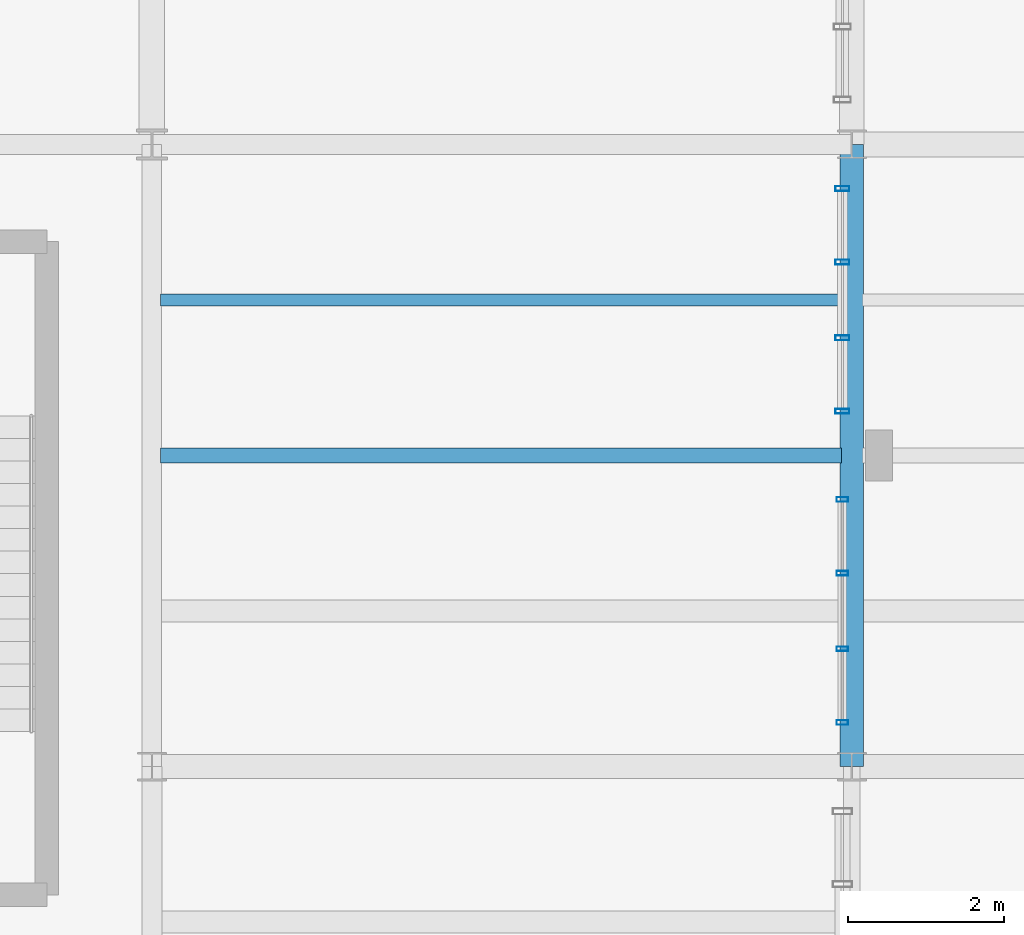
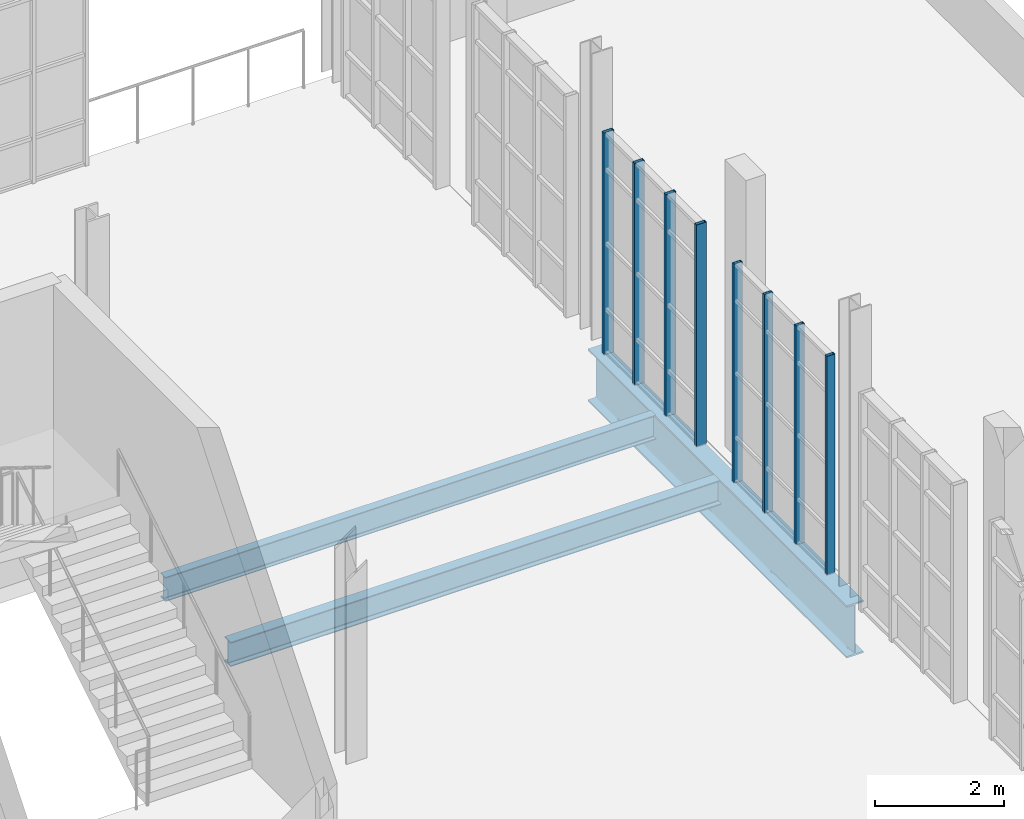
# One storey, part 80 of 142: 8 members, 3 beams, 2 elements without a shape of their own.
"""IFC4 building model written with IfcOpenShell, lengths in metres."""

import ifcopenshell
import ifcopenshell.guid

model = None  # the IFC model being written
_history = None  # IfcOwnerHistory: only IFC2X3 demands one
_inside = {}  # id of a spatial element -> (the spatial element, [elements in it])
_under = {}  # id of a project, library or spatial element -> (it, [spatial elements below it])
_declared = {}  # id of a project -> (the project, [libraries it declares])
_typed = {}  # id of a type object -> (the type object, [elements of that type])
_made_of = {}  # id of a material, layer set ... -> (it, [elements and type objects made of it])


def new_model(schema):
    """Start an empty IFC model of exactly this schema.

    Asked for "IFC4X3", IfcOpenShell would pick the latest addendum, in which some entities
    have other attributes; the version numbers below select the first issue.
    IFC2X3 requires an IfcOwnerHistory on every rooted entity: one is made here for all.
    """
    global model, _history
    if schema == "IFC4X3":
        model = ifcopenshell.file(schema_version=(4, 3, 0, 0))
    else:
        model = ifcopenshell.file(schema=schema)
    _inside.clear()
    _under.clear()
    _declared.clear()
    _typed.clear()
    _made_of.clear()
    _history = None
    if model.schema == "IFC2X3":
        org = make("IfcOrganization", Name="unknown")
        user = make(
            "IfcPersonAndOrganization",
            ThePerson=make("IfcPerson", FamilyName="unknown"),
            TheOrganization=org,
        )
        app = make(
            "IfcApplication",
            ApplicationDeveloper=org,
            Version="unknown",
            ApplicationFullName="unknown",
            ApplicationIdentifier="unknown",
        )
        _history = make(
            "IfcOwnerHistory",
            OwningUser=user,
            OwningApplication=app,
            ChangeAction="ADDED",
            CreationDate=0,
        )
    return model


def make(cls, **values):
    """One entity of the class cls with the attributes given. An attribute that is None is left unset."""
    return model.create_entity(
        cls, **{name: value for name, value in values.items() if value is not None}
    )


def rooted(cls, **values):
    """An entity with a GlobalId (a new one), such as an element, a storey or a relation."""
    return make(cls, GlobalId=ifcopenshell.guid.new(), OwnerHistory=_history, **values)


def si_unit(unit_type, name, prefix=None):
    """IfcSIUnit, for example si_unit("LENGTHUNIT", "METRE", prefix="MILLI")."""
    return make("IfcSIUnit", UnitType=unit_type, Prefix=prefix, Name=name)


def assignment(units):
    """IfcUnitAssignment: the units of a project."""
    return None if units is None else make("IfcUnitAssignment", Units=units)


def point(xyz):
    """IfcCartesianPoint."""
    return None if xyz is None else make("IfcCartesianPoint", Coordinates=xyz)


def direction(xyz):
    """IfcDirection."""
    return None if xyz is None else make("IfcDirection", DirectionRatios=xyz)


def frame(location, z_axis=None, x_axis=None):
    """IfcAxis2Placement3D, a coordinate frame: its origin and axes. An axis left out is left unset."""
    return make(
        "IfcAxis2Placement3D",
        Location=point(location),
        Axis=direction(z_axis),
        RefDirection=direction(x_axis),
    )


def frame_2d(location, x_axis=None):
    """IfcAxis2Placement2D, a coordinate frame in the plane: its origin and x axis."""
    return make(
        "IfcAxis2Placement2D", Location=point(location), RefDirection=direction(x_axis)
    )


def origin():
    """The frame at (0, 0, 0) with its axes left unset."""
    return frame((0.0, 0.0, 0.0))


def origin_2d():
    """The frame at (0, 0) in the plane with its x axis left unset."""
    return frame_2d((0.0, 0.0))


def place(relative_to, where):
    """IfcLocalPlacement: puts the frame where relative to a parent placement (None: the world)."""
    return make(
        "IfcLocalPlacement", PlacementRelTo=relative_to, RelativePlacement=where
    )


def context(
    kind, dimensions, precision=None, world=None, true_north=None, identifier=None
):
    """IfcGeometricRepresentationContext, for example the 3D "Model" context."""
    return make(
        "IfcGeometricRepresentationContext",
        ContextIdentifier=identifier,
        ContextType=kind,
        CoordinateSpaceDimension=dimensions,
        Precision=precision,
        WorldCoordinateSystem=world,
        TrueNorth=true_north,
    )


def subcontext(parent, identifier, kind, view, scale=None):
    """IfcGeometricRepresentationSubContext, for example "Body" below "Model"."""
    return make(
        "IfcGeometricRepresentationSubContext",
        ContextIdentifier=identifier,
        ContextType=kind,
        ParentContext=parent,
        TargetScale=scale,
        TargetView=view,
    )


def project(units=None, contexts=None):
    """IfcProject with its units and contexts."""
    return rooted(
        "IfcProject",
        Name="project",
        RepresentationContexts=contexts,
        UnitsInContext=assignment(units),
    )


def spatial(cls, under=None, at=None, **own):
    """A site, building, storey or space (cls), placed at a placement, below another one or the project."""
    s = rooted(cls, ObjectPlacement=at, **own)
    if under is not None:
        _under.setdefault(under.id(), (under, []))[1].append(s)
    return s


def profile(cls, at=None, kind="AREA", **sizes):
    """A parametric profile (cls). Its sizes go by their IFC names, for example OverallWidth=200.0."""
    return make(cls, ProfileType=kind, Position=at, **sizes)


def hollow_rectangle(**sizes):
    """IfcRectangleHollowProfileDef."""
    return profile("IfcRectangleHollowProfileDef", **sizes)


def i_section(**sizes):
    """IfcIShapeProfileDef."""
    return profile("IfcIShapeProfileDef", **sizes)


def extrude(swept, where, along, depth):
    """IfcExtrudedAreaSolid: the profile swept, set in the frame where, extruded along a direction by depth."""
    return make(
        "IfcExtrudedAreaSolid",
        SweptArea=swept,
        Position=where,
        ExtrudedDirection=direction(along),
        Depth=depth,
    )


def shape(context_of_items, identifier, shape_type, items):
    """IfcShapeRepresentation: the items that make up one representation, for example the "Body"."""
    return make(
        "IfcShapeRepresentation",
        ContextOfItems=context_of_items,
        RepresentationIdentifier=identifier,
        RepresentationType=shape_type,
        Items=items,
    )


def material(Name=None, Category=None):
    """IfcMaterial."""
    return make("IfcMaterial", Name=Name, Category=Category)


def layer(
    of_material, thickness, ventilated=None, Name=None, Category=None, Priority=None
):
    """IfcMaterialLayer: one layer of a wall or slab, of a material (None: an air gap)."""
    return make(
        "IfcMaterialLayer",
        Material=of_material,
        LayerThickness=thickness,
        IsVentilated=ventilated,
        Name=Name,
        Category=Category,
        Priority=Priority,
    )


def layer_set(layers, Name=None):
    """IfcMaterialLayerSet."""
    return make("IfcMaterialLayerSet", MaterialLayers=layers, LayerSetName=Name)


def material_profile(
    of_material, cross_section, Name=None, Category=None, Priority=None
):
    """IfcMaterialProfile: a cross section and its material."""
    return make(
        "IfcMaterialProfile",
        Name=Name,
        Material=of_material,
        Profile=cross_section,
        Priority=Priority,
        Category=Category,
    )


def profile_set(profiles, Name=None, composite=None):
    """IfcMaterialProfileSet."""
    return make(
        "IfcMaterialProfileSet",
        Name=Name,
        MaterialProfiles=profiles,
        CompositeProfile=composite,
    )


def made_of(thing, what):
    """Note that an element or type object is made of a material, layer set ...; save() writes the relation."""
    if what is not None:
        _made_of.setdefault(what.id(), (what, []))[1].append(thing)
    return thing


def type_object(cls, material=None, **own):
    """A type object (cls), such as IfcWallType, which elements share."""
    return made_of(rooted(cls, **own), material)


def element(
    cls,
    number,
    at=None,
    inside=None,
    cuts=None,
    type_object=None,
    material=None,
    context=None,
    identifier="Body",
    shape_type=None,
    held_by="IfcProductDefinitionShape",
    body=None,
    shapes=None,
    **own,
):
    """One element of the class cls, such as IfcWall. Its Tag is "e" and its number.

    at: its placement. inside: the storey or other place that contains it. cuts: it is an
    opening in that element (IfcRelVoidsElement). A single representation is given by context,
    identifier, shape_type and body (its items); several are given by shapes. held_by: the class
    of the entity that holds the representations. save() writes the other relations.
    """
    e = rooted(cls, Tag="e%d" % number, ObjectPlacement=at, **own)
    if body is not None:
        shapes = [shape(context, identifier, shape_type, body)]
    if shapes is not None:
        e.Representation = make(held_by, Representations=shapes)
    if inside is not None:
        _inside.setdefault(inside.id(), (inside, []))[1].append(e)
    if cuts is not None:
        rooted(
            "IfcRelVoidsElement", RelatingBuildingElement=cuts, RelatedOpeningElement=e
        )
    if type_object is not None:
        _typed.setdefault(type_object.id(), (type_object, []))[1].append(e)
    return made_of(e, material)


def aggregate(whole, parts):
    """IfcRelAggregates: a whole, such as a stair, and the parts it consists of."""
    return rooted("IfcRelAggregates", RelatingObject=whole, RelatedObjects=parts)


def save(model, path):
    """Write the relations noted so far, then the file.

    IfcRelAggregates (storeys below a building ...), IfcRelContainedInSpatialStructure (elements
    in a storey), IfcRelDefinesByType, IfcRelAssociatesMaterial and IfcRelDeclares: one each for
    every whole, place, type object, material and project.
    """
    for whole, parts in _under.values():
        aggregate(whole, parts)
    for where, things in _inside.values():
        rooted(
            "IfcRelContainedInSpatialStructure",
            RelatedElements=things,
            RelatingStructure=where,
        )
    for kind, things in _typed.values():
        rooted("IfcRelDefinesByType", RelatedObjects=things, RelatingType=kind)
    for what, things in _made_of.values():
        rooted("IfcRelAssociatesMaterial", RelatedObjects=things, RelatingMaterial=what)
    for by, libraries in _declared.values():
        rooted("IfcRelDeclares", RelatingContext=by, RelatedDefinitions=libraries)
    model.write(path)


model = new_model("IFC4")

# Units and contexts
model_context = context("Model", 3, precision=1e-05, world=origin(), true_north=direction((0.0, 1.0)))
body_context = subcontext(model_context, "Body", "Model", "MODEL_VIEW")
ifc_project = project(units=[si_unit("LENGTHUNIT", "METRE"), si_unit("AREAUNIT", "SQUARE_METRE"), si_unit("VOLUMEUNIT", "CUBIC_METRE"), si_unit("PLANEANGLEUNIT", "RADIAN"), si_unit("MASSUNIT", "GRAM", prefix="KILO"), si_unit("THERMODYNAMICTEMPERATUREUNIT", "KELVIN"), si_unit("POWERUNIT", "WATT")], contexts=[model_context])

# Site, building, storey
site_placement = place(None, origin())
site = spatial("IfcSite", under=ifc_project, at=site_placement, CompositionType="ELEMENT")
building_placement = place(site_placement, origin())
building = spatial("IfcBuilding", under=site, at=building_placement, Name="Zelmaris Science Centre", CompositionType="ELEMENT")
storey_placement = place(building_placement, frame((0.0, 0.0, 5.39990234375)))
storey = spatial("IfcBuildingStorey", under=building, at=storey_placement, Name="L01", CompositionType="ELEMENT", Elevation=5.39990234375)

# Curtain wall, members
ifc_material_1 = material(Name="Anodised architectural aluminium 6063-T6", Category="aluminium")
ifc_layer_1 = layer(ifc_material_1, 0.219970703125, Name="Anodised architectural aluminium 6063-T6")
ifc_layer_set_1 = layer_set([ifc_layer_1], Name="Anodised architectural aluminium 6063-T6")
curtain_wall_type_1 = type_object("IfcCurtainWallType", Name="Curtain Wall CW-04", PredefinedType="USERDEFINED", material=ifc_layer_set_1)
curtain_wall_1_placement = place(storey_placement, origin())
curtain_wall_1 = element("IfcCurtainWall", 1, at=curtain_wall_1_placement, inside=storey, type_object=curtain_wall_type_1, Name="L01 Unitised curtain wall 152", ObjectType="GLAZED CURTAIN WALL", PredefinedType="USERDEFINED")
ifc_material_profile_1 = material_profile(ifc_material_1, hollow_rectangle(XDim=0.06005859375, YDim=0.14990234375, WallThickness=0.00341796875, at=origin_2d()), Name="ALU-MUL-60X150")
ifc_profile_set_1 = profile_set([ifc_material_profile_1], Name="Anodised architectural aluminium 6063-T6")
member_type_1 = type_object("IfcMemberType", Name="ALU-MUL-60X150", PredefinedType="MULLION", material=ifc_profile_set_1)
member_1_placement = place(storey_placement, frame((143.8798828125, 43.43408203125, -0.014892578125), z_axis=(0.0, 0.0, 1.0), x_axis=(0.0, -1.0, 0.0)))
member_1 = element("IfcMember", 2, at=member_1_placement, type_object=member_type_1, Name="CW-04 mullion 1", PredefinedType="MULLION", context=body_context, shape_type="SweptSolid", body=[
    extrude(hollow_rectangle(XDim=0.06005859375, YDim=0.14990234375, WallThickness=0.00341796875, at=origin_2d()), origin(), (0.0, 0.0, 1.0), 4.12890625),
])
member_2_placement = place(storey_placement, frame((143.8798828125, 42.486572265625, -0.014892578125), z_axis=(0.0, 0.0, 1.0), x_axis=(0.0, -1.0, 0.0)))
member_2 = element("IfcMember", 3, at=member_2_placement, type_object=member_type_1, Name="CW-04 mullion 2", PredefinedType="MULLION", context=body_context, shape_type="SweptSolid", body=[
    extrude(hollow_rectangle(XDim=0.06005859375, YDim=0.14990234375, WallThickness=0.00341796875, at=origin_2d()), origin(), (0.0, 0.0, 1.0), 4.12890625),
])
member_3_placement = place(storey_placement, frame((143.8798828125, 41.513427734375, -0.014892578125), z_axis=(0.0, 0.0, 1.0), x_axis=(0.0, -1.0, 0.0)))
member_3 = element("IfcMember", 4, at=member_3_placement, type_object=member_type_1, Name="CW-04 mullion 3", PredefinedType="MULLION", context=body_context, shape_type="SweptSolid", body=[
    extrude(hollow_rectangle(XDim=0.06005859375, YDim=0.14990234375, WallThickness=0.00341796875, at=origin_2d()), origin(), (0.0, 0.0, 1.0), 4.12890625),
])
member_4_placement = place(storey_placement, frame((143.8798828125, 40.56591796875, -0.014892578125), z_axis=(0.0, 0.0, 1.0), x_axis=(0.0, -1.0, 0.0)))
member_4 = element("IfcMember", 5, at=member_4_placement, type_object=member_type_1, Name="CW-04 mullion 4", PredefinedType="MULLION", context=body_context, shape_type="SweptSolid", body=[
    extrude(hollow_rectangle(XDim=0.06005859375, YDim=0.14990234375, WallThickness=0.00341796875, at=origin_2d()), origin(), (0.0, 0.0, 1.0), 4.12890625),
])
aggregate(curtain_wall_1, [member_1, member_2, member_3, member_4])

ifc_layer_2 = layer(ifc_material_1, 0.2099609375, Name="Anodised architectural aluminium 6063-T6")
ifc_layer_set_2 = layer_set([ifc_layer_2], Name="Anodised architectural aluminium 6063-T6")
curtain_wall_type_2 = type_object("IfcCurtainWallType", Name="Curtain Wall CW-03", PredefinedType="USERDEFINED", material=ifc_layer_set_2)
curtain_wall_2_placement = place(storey_placement, origin())
curtain_wall_2 = element("IfcCurtainWall", 6, at=curtain_wall_2_placement, inside=storey, type_object=curtain_wall_type_2, Name="L01 Unitised curtain wall 151", ObjectType="GLAZED CURTAIN WALL", PredefinedType="USERDEFINED")
ifc_material_profile_2 = material_profile(ifc_material_1, hollow_rectangle(XDim=0.06494140625, YDim=0.179931640625, WallThickness=0.00390625, at=origin_2d()), Name="ALU-MUL-65X180")
ifc_profile_set_2 = profile_set([ifc_material_profile_2], Name="Anodised architectural aluminium 6063-T6")
member_type_2 = type_object("IfcMemberType", Name="ALU-MUL-65X180", PredefinedType="MULLION", material=ifc_profile_set_2)
member_5_placement = place(storey_placement, frame((143.8798828125, 47.431396484375, -0.014892578125), z_axis=(0.0, 0.0, 1.0), x_axis=(0.0, -1.0, 0.0)))
member_5 = element("IfcMember", 7, at=member_5_placement, type_object=member_type_2, Name="CW-03 mullion 1", PredefinedType="MULLION", context=body_context, shape_type="SweptSolid", body=[
    extrude(hollow_rectangle(XDim=0.06494140625, YDim=0.179931640625, WallThickness=0.00390625, at=origin_2d()), origin(), (0.0, 0.0, 1.0), 4.18798828125),
])
member_6_placement = place(storey_placement, frame((143.8798828125, 46.486572265625, -0.014892578125), z_axis=(0.0, 0.0, 1.0), x_axis=(0.0, -1.0, 0.0)))
member_6 = element("IfcMember", 8, at=member_6_placement, type_object=member_type_2, Name="CW-03 mullion 2", PredefinedType="MULLION", context=body_context, shape_type="SweptSolid", body=[
    extrude(hollow_rectangle(XDim=0.06494140625, YDim=0.179931640625, WallThickness=0.00390625, at=origin_2d()), origin(), (0.0, 0.0, 1.0), 4.18798828125),
])
member_7_placement = place(storey_placement, frame((143.8798828125, 45.513427734375, -0.014892578125), z_axis=(0.0, 0.0, 1.0), x_axis=(0.0, -1.0, 0.0)))
member_7 = element("IfcMember", 9, at=member_7_placement, type_object=member_type_2, Name="CW-03 mullion 3", PredefinedType="MULLION", context=body_context, shape_type="SweptSolid", body=[
    extrude(hollow_rectangle(XDim=0.06494140625, YDim=0.179931640625, WallThickness=0.00390625, at=origin_2d()), origin(), (0.0, 0.0, 1.0), 4.18798828125),
])
member_8_placement = place(storey_placement, frame((143.8798828125, 44.568603515625, -0.014892578125), z_axis=(0.0, 0.0, 1.0), x_axis=(0.0, -1.0, 0.0)))
member_8 = element("IfcMember", 10, at=member_8_placement, type_object=member_type_2, Name="CW-03 mullion 4", PredefinedType="MULLION", context=body_context, shape_type="SweptSolid", body=[
    extrude(hollow_rectangle(XDim=0.06494140625, YDim=0.179931640625, WallThickness=0.00390625, at=origin_2d()), origin(), (0.0, 0.0, 1.0), 4.18798828125),
])
aggregate(curtain_wall_2, [member_5, member_6, member_7, member_8])

# Beams
ifc_material_2 = material(Name="Steel ASTM A992 Grade 50", Category="steel")
ifc_material_profile_3 = material_profile(ifc_material_2, i_section(OverallWidth=0.300048828125, OverallDepth=0.990966796875, WebThickness=0.0166015625, FlangeThickness=0.030517578125, FilletRadius=0.02490234375, at=origin_2d()), Name="W40X183")
ifc_profile_set_3 = profile_set([ifc_material_profile_3], Name="Steel ASTM A992 Grade 50")
beam_type_1 = type_object("IfcBeamType", Name="Beam G-24 W40X183", PredefinedType="BEAM", material=ifc_profile_set_3)
beam_1_placement = place(storey_placement, frame((144.0, 40.0, -0.775390625), z_axis=(0.0, 1.0, 0.0), x_axis=(-1.0, 0.0, 0.0)))
element("IfcBeam", 11, at=beam_1_placement, inside=storey, type_object=beam_type_1, Name="L01 North-south girder 323", PredefinedType="BEAM", context=body_context, shape_type="SweptSolid", body=[
    extrude(i_section(OverallWidth=0.300048828125, OverallDepth=0.990966796875, WebThickness=0.0166015625, FlangeThickness=0.030517578125, FilletRadius=0.02490234375, at=origin_2d()), origin(), (0.0, 0.0, 1.0), 8.0),
])
ifc_material_profile_4 = material_profile(ifc_material_2, i_section(OverallWidth=0.19091796875, OverallDepth=0.4599609375, WebThickness=0.010009765625, FlangeThickness=0.01611328125, FilletRadius=0.012939453125, at=origin_2d()), Name="W18X55")
ifc_profile_set_4 = profile_set([ifc_material_profile_4], Name="Steel ASTM A992 Grade 50")
beam_type_2 = type_object("IfcBeamType", Name="Beam J-04 W18X55", PredefinedType="JOIST", material=ifc_profile_set_4)
beam_2_placement = place(storey_placement, frame((135.112060546875, 44.0, -0.510009765625), z_axis=(1.0, 0.0, 0.0), x_axis=(0.0, 1.0, 0.0)))
element("IfcBeam", 12, at=beam_2_placement, inside=storey, type_object=beam_type_2, Name="L01 Composite floor joist 210", PredefinedType="JOIST", context=body_context, shape_type="SweptSolid", body=[
    extrude(i_section(OverallWidth=0.19091796875, OverallDepth=0.4599609375, WebThickness=0.010009765625, FlangeThickness=0.01611328125, FilletRadius=0.012939453125, at=origin_2d()), origin(), (0.0, 0.0, 1.0), 8.7529296875),
])
ifc_material_profile_5 = material_profile(ifc_material_2, i_section(OverallWidth=0.152099609375, OverallDepth=0.455078125, WebThickness=0.008056640625, FlangeThickness=0.01318359375, FilletRadius=0.012939453125, at=origin_2d()), Name="W18X40")
ifc_profile_set_5 = profile_set([ifc_material_profile_5], Name="Steel ASTM A992 Grade 50")
beam_type_3 = type_object("IfcBeamType", Name="Beam J-05 W18X40", PredefinedType="JOIST", material=ifc_profile_set_5)
beam_3_placement = place(storey_placement, frame((135.112060546875, 46.0, -0.50732421875), z_axis=(1.0, 0.0, 0.0), x_axis=(0.0, 1.0, 0.0)))
element("IfcBeam", 13, at=beam_3_placement, inside=storey, type_object=beam_type_3, Name="L01 Composite floor joist 211", PredefinedType="JOIST", context=body_context, shape_type="SweptSolid", body=[
    extrude(i_section(OverallWidth=0.152099609375, OverallDepth=0.455078125, WebThickness=0.008056640625, FlangeThickness=0.01318359375, FilletRadius=0.012939453125, at=origin_2d()), origin(), (0.0, 0.0, 1.0), 8.7529296875),
])

save(model, "model.ifc")
